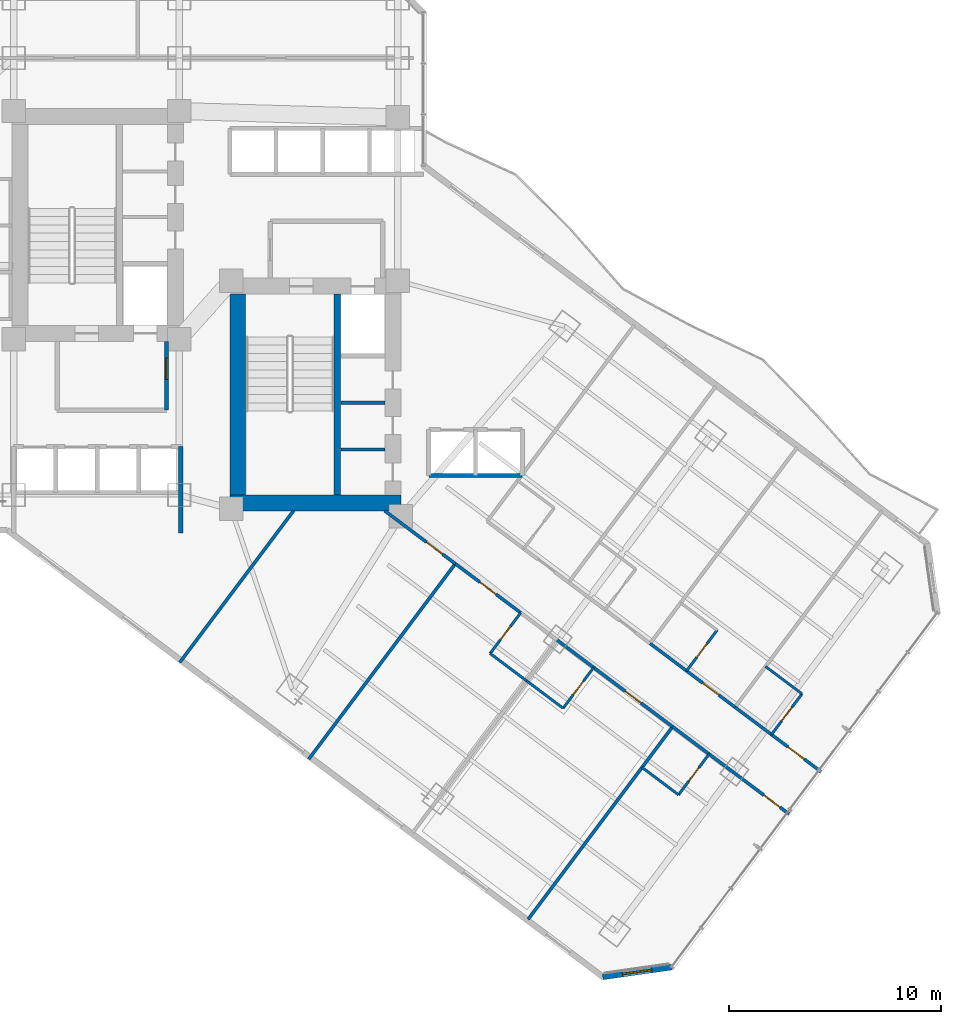
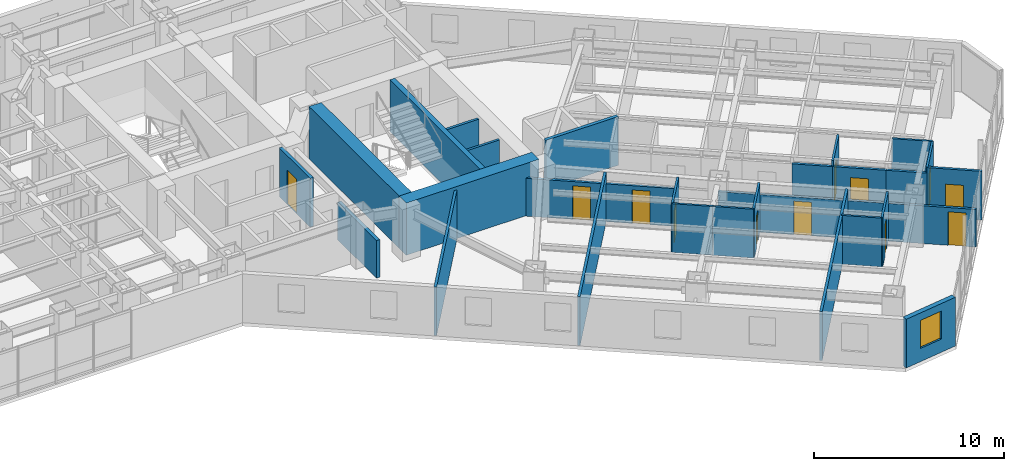
# One storey, part 24 of 37: 31 walls, 12 doors, 1 window, 13 openings.
"""IFC4 building model written with IfcOpenShell, lengths in metres."""

from ifc_helpers import new_model, si_unit, direction, frame, frame_2d, origin, place, context, subcontext, project, spatial, rectangle, extrude, material, layer, layer_set, type_object, element, fill, save


model = new_model("IFC4")

# Units and contexts
model_context = context("Model", 3, precision=1e-05, world=origin(), true_north=direction((0.0, 1.0)))
body_context = subcontext(model_context, "Body", "Model", "MODEL_VIEW")
ifc_project = project(units=[si_unit("LENGTHUNIT", "METRE"), si_unit("AREAUNIT", "SQUARE_METRE"), si_unit("VOLUMEUNIT", "CUBIC_METRE"), si_unit("PLANEANGLEUNIT", "RADIAN"), si_unit("MASSUNIT", "GRAM", prefix="KILO")], contexts=[model_context])

# Site, building, storey
site_placement = place(None, origin())
site = spatial("IfcSite", under=ifc_project, at=site_placement, CompositionType="ELEMENT")
building_placement = place(site_placement, origin())
building = spatial("IfcBuilding", under=site, at=building_placement, Name="Hatsunagi Terrace Concourse", CompositionType="ELEMENT")
storey_placement = place(building_placement, frame((0.0, 0.0, 50.0)))
storey = spatial("IfcBuildingStorey", under=building, at=storey_placement, Name="L12", CompositionType="ELEMENT", Elevation=50.0)

# Walls
ifc_material_1 = material(Name="Concrete Fc60", Category="concrete")
ifc_layer_1 = layer(ifc_material_1, 0.75)
ifc_layer_set_1 = layer_set([ifc_layer_1], Name="CoreShearWall_Fc60_750")
wall_type_1 = type_object("IfcWallType", Name="CoreShearWall_Fc60_750", PredefinedType="SHEAR", material=ifc_layer_set_1)
wall_1_placement = place(storey_placement, frame((35.739990234375, 24.81494140625, 0.0), z_axis=(0.0, 0.0, 1.0), x_axis=(1.0, 0.0, 0.0)))
element("IfcWall", 1, at=wall_1_placement, inside=storey, type_object=wall_type_1, Name="Core B Shear Wall S L12", PredefinedType="SHEAR", context=body_context, shape_type="SweptSolid", body=[
    extrude(rectangle(XDim=8.06005859375, YDim=0.75, at=frame_2d((4.030029296875, 0.0))), origin(), (0.0, 0.0, 1.0), 3.35009765625),
])
wall_2_placement = place(storey_placement, frame((36.114990234375, 25.18994140625, 0.0), z_axis=(0.0, 0.0, 1.0), x_axis=(0.0, 1.0, 0.0)))
element("IfcWall", 2, at=wall_2_placement, inside=storey, type_object=wall_type_1, Name="Core B Shear Wall W L12", PredefinedType="SHEAR", context=body_context, shape_type="SweptSolid", body=[
    extrude(rectangle(XDim=9.47998046875, YDim=0.75, at=frame_2d((4.739990234375, 0.0))), origin(), (0.0, 0.0, 1.0), 3.35009765625),
])
ifc_material_2 = material(Name="Concrete Fc48", Category="concrete")
ifc_layer_2 = layer(ifc_material_2, 0.300048828125)
ifc_layer_set_2 = layer_set([ifc_layer_2], Name="CoreStairDivider_Fc48_300")
wall_type_2 = type_object("IfcWallType", Name="CoreStairDivider_Fc48_300", PredefinedType="SHEAR", material=ifc_layer_set_2)
wall_3_placement = place(storey_placement, frame((40.81005859375, 25.18994140625, 0.0), z_axis=(0.0, 0.0, 1.0), x_axis=(0.0, 1.0, 0.0)))
element("IfcWall", 3, at=wall_3_placement, inside=storey, type_object=wall_type_2, Name="Core B Shear Wall D L12", PredefinedType="SHEAR", context=body_context, shape_type="SweptSolid", body=[
    extrude(rectangle(XDim=9.47998046875, YDim=0.300048828125, at=frame_2d((4.739990234375, 0.0))), origin(), (0.0, 0.0, 1.0), 3.35009765625),
])

# Wall, opening, door
ifc_material_3 = material(Name="Acoustic mineral board", Category="gypsum")
ifc_layer_3 = layer(ifc_material_3, 0.1201171875)
ifc_layer_set_3 = layer_set([ifc_layer_3], Name="PartitionWall_EI30_120")
wall_type_3 = type_object("IfcWallType", Name="PartitionWall_EI30_120", PredefinedType="PARTITIONING", material=ifc_layer_set_3)
wall_4_placement = place(storey_placement, frame((57.27001953125, 16.909912109375, 0.0), z_axis=(0.0, 0.0, 1.0), x_axis=(0.599951172744, 0.800036618114, 0.0)))
wall_4 = element("IfcWall", 4, at=wall_4_placement, inside=storey, type_object=wall_type_3, Name="Interior Partition IW-L12-091", PredefinedType="PARTITIONING", context=body_context, shape_type="SweptSolid", body=[
    extrude(rectangle(XDim=2.400146484375, YDim=0.1201171875, at=frame_2d((1.2001953125, 0.0))), origin(), (0.0, 0.0, 1.0), 3.1298828125),
])
opening_1_placement = place(wall_4_placement, frame((0.800048828125, 0.0, 0.0)))
opening_1 = element("IfcOpeningElement", 5, at=opening_1_placement, cuts=wall_4, Name="Opening DR-080", PredefinedType="OPENING", context=body_context, shape_type="SweptSolid", body=[
    extrude(rectangle(XDim=0.800048828125, YDim=2.06005859375, at=frame_2d((0.39990234375, 1.030029296875))), frame((0.0, 0.070068359375, 0.0), z_axis=(0.0, -1.0, 0.0), x_axis=(1.0, 0.0, 0.0)), (0.0, 0.0, 1.0), 0.14013671875),
])
ifc_material_4 = material(Name="Hardwood timber", Category="wood")
door_type_1 = type_object("IfcDoorType", Name="BathroomDoor_800", OperationType="NOTDEFINED", PredefinedType="DOOR", material=ifc_material_4)
door_1_placement = place(opening_1_placement, origin())
door_1 = element("IfcDoor", 6, at=door_1_placement, inside=storey, type_object=door_type_1, Name="En-Suite Bathroom L12-SENE3 Door", OperationType="SINGLE_SWING_LEFT", OverallHeight=2.06005859375, OverallWidth=0.800048828125, PredefinedType="DOOR", context=body_context, shape_type="SweptSolid", body=[
    extrude(rectangle(XDim=0.800048828125, YDim=2.06005859375, at=frame_2d((0.39990234375, 1.030029296875))), frame((0.0, 0.02490234375, 0.0), z_axis=(0.0, -1.0, 0.0), x_axis=(1.0, 0.0, 0.0)), (0.0, 0.0, 1.0), 0.050048828125),
])
fill(opening_1, door_1)

wall_5_placement = place(storey_placement, frame((61.27001953125, 13.909912109375, 0.0), z_axis=(0.0, 0.0, 1.0), x_axis=(0.599951172744, 0.800036618114, 0.0)))
wall_5 = element("IfcWall", 7, at=wall_5_placement, inside=storey, type_object=wall_type_3, Name="Interior Partition IW-L12-096", PredefinedType="PARTITIONING", context=body_context, shape_type="SweptSolid", body=[
    extrude(rectangle(XDim=2.400146484375, YDim=0.1201171875, at=frame_2d((1.2001953125, 0.0))), origin(), (0.0, 0.0, 1.0), 3.1298828125),
])
opening_2_placement = place(wall_5_placement, frame((0.800048828125, 0.0, 0.0)))
opening_2 = element("IfcOpeningElement", 8, at=opening_2_placement, cuts=wall_5, Name="Opening DR-080", PredefinedType="OPENING", context=body_context, shape_type="SweptSolid", body=[
    extrude(rectangle(XDim=0.800048828125, YDim=2.06005859375, at=frame_2d((0.39990234375, 1.030029296875))), frame((0.0, 0.070068359375, 0.0), z_axis=(0.0, -1.0, 0.0), x_axis=(1.0, 0.0, 0.0)), (0.0, 0.0, 1.0), 0.14013671875),
])
door_2_placement = place(opening_2_placement, origin())
door_2 = element("IfcDoor", 9, at=door_2_placement, inside=storey, type_object=door_type_1, Name="En-Suite Bathroom L12-SENE4 Door", OperationType="SINGLE_SWING_RIGHT", OverallHeight=2.06005859375, OverallWidth=0.800048828125, PredefinedType="DOOR", context=body_context, shape_type="SweptSolid", body=[
    extrude(rectangle(XDim=0.800048828125, YDim=2.06005859375, at=frame_2d((0.39990234375, 1.030029296875))), frame((0.0, 0.02490234375, 0.0), z_axis=(0.0, -1.0, 0.0), x_axis=(1.0, 0.0, 0.0)), (0.0, 0.0, 1.0), 0.050048828125),
])
fill(opening_2, door_2)

# Wall
wall_6_placement = place(storey_placement, frame((60.989990234375, 17.1201171875, 0.0), z_axis=(0.0, 0.0, 1.0), x_axis=(0.79998637334, -0.60001816845, 0.0)))
element("IfcWall", 10, at=wall_6_placement, inside=storey, type_object=wall_type_3, Name="Interior Partition IW-L12-097", PredefinedType="PARTITIONING", context=body_context, shape_type="SweptSolid", body=[
    extrude(rectangle(XDim=2.14990234375, YDim=0.1201171875, at=frame_2d((1.074951171875, 0.0))), origin(), (0.0, 0.0, 1.0), 3.1298828125),
])

# Wall, opening, door
wall_7_placement = place(storey_placement, frame((48.010009765625, 17.72998046875, 0.0), z_axis=(0.0, 0.0, 1.0), x_axis=(0.6, 0.8, 0.0)))
wall_7 = element("IfcWall", 11, at=wall_7_placement, inside=storey, type_object=wall_type_3, Name="Interior Partition IW-L12-100", PredefinedType="PARTITIONING", context=body_context, shape_type="SweptSolid", body=[
    extrude(rectangle(XDim=2.39990234375, YDim=0.1201171875, at=frame_2d((1.199951171875, 0.0))), origin(), (0.0, 0.0, 1.0), 3.1298828125),
])
opening_3_placement = place(wall_7_placement, frame((0.800048828125, 0.0, 0.0)))
opening_3 = element("IfcOpeningElement", 12, at=opening_3_placement, cuts=wall_7, Name="Opening DR-080", PredefinedType="OPENING", context=body_context, shape_type="SweptSolid", body=[
    extrude(rectangle(XDim=0.800048828125, YDim=2.06005859375, at=frame_2d((0.39990234375, 1.030029296875))), frame((0.0, 0.070068359375, 0.0), z_axis=(0.0, -1.0, 0.0), x_axis=(1.0, 0.0, 0.0)), (0.0, 0.0, 1.0), 0.14013671875),
])
door_3_placement = place(opening_3_placement, origin())
door_3 = element("IfcDoor", 13, at=door_3_placement, inside=storey, type_object=door_type_1, Name="En-Suite Bathroom L12-SESW1 Door", OperationType="SINGLE_SWING_LEFT", OverallHeight=2.06005859375, OverallWidth=0.800048828125, PredefinedType="DOOR", context=body_context, shape_type="SweptSolid", body=[
    extrude(rectangle(XDim=0.800048828125, YDim=2.06005859375, at=frame_2d((0.39990234375, 1.030029296875))), frame((0.0, 0.02490234375, 0.0), z_axis=(0.0, -1.0, 0.0), x_axis=(1.0, 0.0, 0.0)), (0.0, 0.0, 1.0), 0.050048828125),
])
fill(opening_3, door_3)

# Wall
wall_8_placement = place(storey_placement, frame((48.010009765625, 17.72998046875, 0.0), z_axis=(0.0, 0.0, 1.0), x_axis=(0.79998637334, -0.60001816845, 0.0)))
element("IfcWall", 14, at=wall_8_placement, inside=storey, type_object=wall_type_3, Name="Interior Partition IW-L12-101", PredefinedType="PARTITIONING", context=body_context, shape_type="SweptSolid", body=[
    extrude(rectangle(XDim=2.14990234375, YDim=0.1201171875, at=frame_2d((1.074951171875, 0.0))), origin(), (0.0, 0.0, 1.0), 3.1298828125),
])

# Wall, opening, door
wall_9_placement = place(storey_placement, frame((51.449951171875, 15.14990234375, 0.0), z_axis=(0.0, 0.0, 1.0), x_axis=(0.599951172744, 0.800036618114, 0.0)))
wall_9 = element("IfcWall", 15, at=wall_9_placement, inside=storey, type_object=wall_type_3, Name="Interior Partition IW-L12-105", PredefinedType="PARTITIONING", context=body_context, shape_type="SweptSolid", body=[
    extrude(rectangle(XDim=2.400146484375, YDim=0.1201171875, at=frame_2d((1.2001953125, 0.0))), origin(), (0.0, 0.0, 1.0), 3.1298828125),
])
opening_4_placement = place(wall_9_placement, frame((0.800048828125, 0.0, 0.0)))
opening_4 = element("IfcOpeningElement", 16, at=opening_4_placement, cuts=wall_9, Name="Opening DR-080", PredefinedType="OPENING", context=body_context, shape_type="SweptSolid", body=[
    extrude(rectangle(XDim=0.800048828125, YDim=2.06005859375, at=frame_2d((0.39990234375, 1.030029296875))), frame((0.0, 0.070068359375, 0.0), z_axis=(0.0, -1.0, 0.0), x_axis=(1.0, 0.0, 0.0)), (0.0, 0.0, 1.0), 0.14013671875),
])
door_4_placement = place(opening_4_placement, origin())
door_4 = element("IfcDoor", 17, at=door_4_placement, inside=storey, type_object=door_type_1, Name="En-Suite Bathroom L12-SESW2 Door", OperationType="SINGLE_SWING_RIGHT", OverallHeight=2.06005859375, OverallWidth=0.800048828125, PredefinedType="DOOR", context=body_context, shape_type="SweptSolid", body=[
    extrude(rectangle(XDim=0.800048828125, YDim=2.06005859375, at=frame_2d((0.39990234375, 1.030029296875))), frame((0.0, 0.02490234375, 0.0), z_axis=(0.0, -1.0, 0.0), x_axis=(1.0, 0.0, 0.0)), (0.0, 0.0, 1.0), 0.050048828125),
])
fill(opening_4, door_4)

# Wall
wall_10_placement = place(storey_placement, frame((49.72998046875, 16.43994140625, 0.0), z_axis=(0.0, 0.0, 1.0), x_axis=(0.79998637334, -0.60001816845, 0.0)))
element("IfcWall", 18, at=wall_10_placement, inside=storey, type_object=wall_type_3, Name="Interior Partition IW-L12-106", PredefinedType="PARTITIONING", context=body_context, shape_type="SweptSolid", body=[
    extrude(rectangle(XDim=2.14990234375, YDim=0.1201171875, at=frame_2d((1.074951171875, 0.0))), origin(), (0.0, 0.0, 1.0), 3.1298828125),
])

# Wall, opening, door
wall_11_placement = place(storey_placement, frame((56.889892578125, 11.070068359375, 0.0), z_axis=(0.0, 0.0, 1.0), x_axis=(0.600065100855, 0.79995117022, 0.0)))
wall_11 = element("IfcWall", 19, at=wall_11_placement, inside=storey, type_object=wall_type_3, Name="Interior Partition IW-L12-110", PredefinedType="PARTITIONING", context=body_context, shape_type="SweptSolid", body=[
    extrude(rectangle(XDim=2.400146484375, YDim=0.1201171875, at=frame_2d((1.2001953125, 0.0))), origin(), (0.0, 0.0, 1.0), 3.1298828125),
])
opening_5_placement = place(wall_11_placement, frame((0.800048828125, 0.0, 0.0)))
opening_5 = element("IfcOpeningElement", 20, at=opening_5_placement, cuts=wall_11, Name="Opening DR-080", PredefinedType="OPENING", context=body_context, shape_type="SweptSolid", body=[
    extrude(rectangle(XDim=0.800048828125, YDim=2.06005859375, at=frame_2d((0.39990234375, 1.030029296875))), frame((0.0, 0.070068359375, 0.0), z_axis=(0.0, -1.0, 0.0), x_axis=(1.0, 0.0, 0.0)), (0.0, 0.0, 1.0), 0.14013671875),
])
door_5_placement = place(opening_5_placement, origin())
door_5 = element("IfcDoor", 21, at=door_5_placement, inside=storey, type_object=door_type_1, Name="En-Suite Bathroom L12-SESW3 Door", OperationType="SINGLE_SWING_LEFT", OverallHeight=2.06005859375, OverallWidth=0.800048828125, PredefinedType="DOOR", context=body_context, shape_type="SweptSolid", body=[
    extrude(rectangle(XDim=0.800048828125, YDim=2.06005859375, at=frame_2d((0.39990234375, 1.030029296875))), frame((0.0, 0.02490234375, 0.0), z_axis=(0.0, -1.0, 0.0), x_axis=(1.0, 0.0, 0.0)), (0.0, 0.0, 1.0), 0.050048828125),
])
fill(opening_5, door_5)

# Walls
wall_12_placement = place(storey_placement, frame((55.169921875, 12.360107421875, 0.0), z_axis=(0.0, 0.0, 1.0), x_axis=(0.79998637334, -0.60001816845, 0.0)))
element("IfcWall", 22, at=wall_12_placement, inside=storey, type_object=wall_type_3, Name="Interior Partition IW-L12-111", PredefinedType="PARTITIONING", context=body_context, shape_type="SweptSolid", body=[
    extrude(rectangle(XDim=2.14990234375, YDim=0.1201171875, at=frame_2d((1.074951171875, 0.0))), origin(), (0.0, 0.0, 1.0), 3.1298828125),
])
ifc_material_5 = material(Name="Acoustic mineral board", Category="gypsum")
ifc_layer_4 = layer(ifc_material_5, 0.14990234375)
ifc_layer_set_4 = layer_set([ifc_layer_4], Name="PartitionWall_EI60_150")
wall_type_4 = type_object("IfcWallType", Name="PartitionWall_EI60_150", PredefinedType="PARTITIONING", material=ifc_layer_set_4)
for number, where, z_axis, x_axis, name in (
    (23, (40.969970703125, 27.35009765625, 0.0), (0.0, 0.0, 1.0), (1.0, 0.0, 0.0), "Interior Partition IW-L12-005"),
    (24, (40.969970703125, 29.550048828125, 0.0), (0.0, 0.0, 1.0), (1.0, 0.0, 0.0), "Interior Partition IW-L12-006"),
):
    element("IfcWall", number, at=place(storey_placement, frame(where, z_axis=z_axis, x_axis=x_axis)), inside=storey, type_object=wall_type_4, Name=name, PredefinedType="PARTITIONING", context=body_context, shape_type="SweptSolid", body=[
        extrude(rectangle(XDim=2.080078125, YDim=0.14990234375, at=frame_2d((1.0400390625, 0.0))), origin(), (0.0, 0.0, 1.0), 3.1298828125),
    ])

# Wall, opening, door
wall_13_placement = place(storey_placement, frame((43.037109375, 24.4599609375, 0.0), z_axis=(0.0, 0.0, 1.0), x_axis=(0.799971872363, -0.600037501685, 0.0)))
wall_13 = element("IfcWall", 25, at=wall_13_placement, inside=storey, type_object=wall_type_4, Name="Interior Partition IW-L12-043", PredefinedType="PARTITIONING", context=body_context, shape_type="SweptSolid", body=[
    extrude(rectangle(XDim=4.16650390625, YDim=0.14990234375, at=frame_2d((2.083251953125, 0.0))), origin(), (0.0, 0.0, 1.0), 2.425048828125),
])
opening_6_placement = place(wall_13_placement, frame((2.468017578125, 0.0, 0.0)))
opening_6 = element("IfcOpeningElement", 26, at=opening_6_placement, cuts=wall_13, Name="Opening DR-095", PredefinedType="OPENING", context=body_context, shape_type="SweptSolid", body=[
    extrude(rectangle(XDim=0.949951171875, YDim=2.14990234375, at=frame_2d((0.47509765625, 1.074951171875))), frame((0.0, 0.0849609375, 0.0), z_axis=(0.0, -1.0, 0.0), x_axis=(1.0, 0.0, 0.0)), (0.0, 0.0, 1.0), 0.169921875),
])
ifc_material_6 = material(Name="Hardwood timber", Category="wood")
door_type_2 = type_object("IfcDoorType", Name="InteriorSuiteDoor_EI30_950", OperationType="NOTDEFINED", PredefinedType="DOOR", material=ifc_material_6)
door_6_placement = place(opening_6_placement, origin())
door_6 = element("IfcDoor", 27, at=door_6_placement, inside=storey, type_object=door_type_2, Name="Meeting Room L12-HMTG Door", OperationType="SINGLE_SWING_RIGHT", OverallHeight=2.14990234375, OverallWidth=0.949951171875, PredefinedType="DOOR", context=body_context, shape_type="SweptSolid", body=[
    extrude(rectangle(XDim=0.949951171875, YDim=2.14990234375, at=frame_2d((0.47509765625, 1.074951171875))), frame((0.0, 0.02490234375, 0.0), z_axis=(0.0, -1.0, 0.0), x_axis=(1.0, 0.0, 0.0)), (0.0, 0.0, 1.0), 0.050048828125),
])
fill(opening_6, door_6)

# Walls
wall_14_placement = place(storey_placement, frame((33.384033203125, 17.31201171875, 0.0), z_axis=(0.0, 0.0, 1.0), x_axis=(0.600008743659, 0.799993442181, 0.0)))
element("IfcWall", 28, at=wall_14_placement, inside=storey, type_object=wall_type_4, Name="Interior Partition IW-L12-044", PredefinedType="PARTITIONING", context=body_context, shape_type="SweptSolid", body=[
    extrude(rectangle(XDim=8.93505859375, YDim=0.14990234375, at=frame_2d((4.467529296875, 0.0))), origin(), (0.0, 0.0, 1.0), 3.1298828125),
])
wall_15_placement = place(storey_placement, frame((39.464111328125, 12.751953125, 0.0), z_axis=(0.0, 0.0, 1.0), x_axis=(0.6, 0.8, 0.0)))
element("IfcWall", 29, at=wall_15_placement, inside=storey, type_object=wall_type_4, Name="Interior Partition IW-L12-045", PredefinedType="PARTITIONING", context=body_context, shape_type="SweptSolid", body=[
    extrude(rectangle(XDim=11.510009765625, YDim=0.14990234375, at=frame_2d((5.7548828125, 0.0))), origin(), (0.0, 0.0, 1.0), 3.1298828125),
])
wall_16_placement = place(storey_placement, frame((55.550048828125, 18.199951171875, 0.0), z_axis=(0.0, 0.0, 1.0), x_axis=(0.79998637334, -0.60001816845, 0.0)))
element("IfcWall", 30, at=wall_16_placement, inside=storey, type_object=wall_type_4, Name="Interior Partition IW-L12-089", PredefinedType="PARTITIONING", context=body_context, shape_type="SweptSolid", body=[
    extrude(rectangle(XDim=2.14990234375, YDim=0.14990234375, at=frame_2d((1.074951171875, 0.0))), origin(), (0.0, 0.0, 1.0), 2.77490234375),
])

# Wall, opening, door
wall_17_placement = place(storey_placement, frame((57.27001953125, 16.909912109375, 0.0), z_axis=(0.0, 0.0, 1.0), x_axis=(0.800010279488, -0.599986293772, 0.0)))
wall_17 = element("IfcWall", 31, at=wall_17_placement, inside=storey, type_object=wall_type_4, Name="Interior Partition IW-L12-090", PredefinedType="PARTITIONING", context=body_context, shape_type="SweptSolid", body=[
    extrude(rectangle(XDim=2.85009765625, YDim=0.14990234375, at=frame_2d((1.425048828125, 0.0))), origin(), (0.0, 0.0, 1.0), 2.77490234375),
])
opening_7_placement = place(wall_17_placement, frame((0.949951171875, 0.0, 0.0)))
opening_7 = element("IfcOpeningElement", 32, at=opening_7_placement, cuts=wall_17, Name="Opening DR-095", PredefinedType="OPENING", context=body_context, shape_type="SweptSolid", body=[
    extrude(rectangle(XDim=0.949951171875, YDim=2.14990234375, at=frame_2d((0.47509765625, 1.074951171875))), frame((0.0, 0.0849609375, 0.0), z_axis=(0.0, -1.0, 0.0), x_axis=(1.0, 0.0, 0.0)), (0.0, 0.0, 1.0), 0.169921875),
])
door_7_placement = place(opening_7_placement, origin())
door_7 = element("IfcDoor", 33, at=door_7_placement, inside=storey, type_object=door_type_2, Name="Hotel Guest Room L12-SENE3 Door", OperationType="SINGLE_SWING_LEFT", OverallHeight=2.14990234375, OverallWidth=0.949951171875, PredefinedType="DOOR", context=body_context, shape_type="SweptSolid", body=[
    extrude(rectangle(XDim=0.949951171875, YDim=2.14990234375, at=frame_2d((0.47509765625, 1.074951171875))), frame((0.0, 0.02490234375, 0.0), z_axis=(0.0, -1.0, 0.0), x_axis=(1.0, 0.0, 0.0)), (0.0, 0.0, 1.0), 0.050048828125),
])
fill(opening_7, door_7)

# Wall
wall_18_placement = place(storey_placement, frame((59.550048828125, 15.199951171875, 0.0), z_axis=(0.0, 0.0, 1.0), x_axis=(0.79998637334, -0.60001816845, 0.0)))
element("IfcWall", 34, at=wall_18_placement, inside=storey, type_object=wall_type_4, Name="Interior Partition IW-L12-094", PredefinedType="PARTITIONING", context=body_context, shape_type="SweptSolid", body=[
    extrude(rectangle(XDim=2.14990234375, YDim=0.14990234375, at=frame_2d((1.074951171875, 0.0))), origin(), (0.0, 0.0, 1.0), 2.77490234375),
])

# Wall, opening, door
wall_19_placement = place(storey_placement, frame((61.27001953125, 13.909912109375, 0.0), z_axis=(0.0, 0.0, 1.0), x_axis=(0.800010068184, -0.59998657552, 0.0)))
wall_19 = element("IfcWall", 35, at=wall_19_placement, inside=storey, type_object=wall_type_4, Name="Interior Partition IW-L12-095", PredefinedType="PARTITIONING", context=body_context, shape_type="SweptSolid", body=[
    extrude(rectangle(XDim=2.909912109375, YDim=0.14990234375, at=frame_2d((1.455078125, 0.0))), origin(), (0.0, 0.0, 1.0), 3.1298828125),
])
opening_8_placement = place(wall_19_placement, frame((0.97998046875, 0.0, 0.0)))
opening_8 = element("IfcOpeningElement", 36, at=opening_8_placement, cuts=wall_19, Name="Opening DR-095", PredefinedType="OPENING", context=body_context, shape_type="SweptSolid", body=[
    extrude(rectangle(XDim=0.949951171875, YDim=2.14990234375, at=frame_2d((0.47509765625, 1.074951171875))), frame((0.0, 0.0849609375, 0.0), z_axis=(0.0, -1.0, 0.0), x_axis=(1.0, 0.0, 0.0)), (0.0, 0.0, 1.0), 0.169921875),
])
door_8_placement = place(opening_8_placement, origin())
door_8 = element("IfcDoor", 37, at=door_8_placement, inside=storey, type_object=door_type_2, Name="Hotel Guest Room L12-SENE4 Door", OperationType="SINGLE_SWING_LEFT", OverallHeight=2.14990234375, OverallWidth=0.949951171875, PredefinedType="DOOR", context=body_context, shape_type="SweptSolid", body=[
    extrude(rectangle(XDim=0.949951171875, YDim=2.14990234375, at=frame_2d((0.47509765625, 1.074951171875))), frame((0.0, 0.02490234375, 0.0), z_axis=(0.0, -1.0, 0.0), x_axis=(1.0, 0.0, 0.0)), (0.0, 0.0, 1.0), 0.050048828125),
])
fill(opening_8, door_8)

wall_20_placement = place(storey_placement, frame((46.3701171875, 21.9599609375, 0.0), z_axis=(0.0, 0.0, 1.0), x_axis=(0.799977170108, -0.600030438649, 0.0)))
wall_20 = element("IfcWall", 38, at=wall_20_placement, inside=storey, type_object=wall_type_4, Name="Interior Partition IW-L12-098", PredefinedType="PARTITIONING", context=body_context, shape_type="SweptSolid", body=[
    extrude(rectangle(XDim=3.849853515625, YDim=0.14990234375, at=frame_2d((1.9248046875, 0.0))), origin(), (0.0, 0.0, 1.0), 2.425048828125),
])
opening_9_placement = place(wall_20_placement, frame((1.449951171875, 0.0, 0.0)))
opening_9 = element("IfcOpeningElement", 39, at=opening_9_placement, cuts=wall_20, Name="Opening DR-095", PredefinedType="OPENING", context=body_context, shape_type="SweptSolid", body=[
    extrude(rectangle(XDim=0.949951171875, YDim=2.14990234375, at=frame_2d((0.47509765625, 1.074951171875))), frame((0.0, 0.0849609375, 0.0), z_axis=(0.0, -1.0, 0.0), x_axis=(1.0, 0.0, 0.0)), (0.0, 0.0, 1.0), 0.169921875),
])
door_9_placement = place(opening_9_placement, origin())
door_9 = element("IfcDoor", 40, at=door_9_placement, inside=storey, type_object=door_type_2, Name="Hotel Guest Room L12-SESW1 Door", OperationType="SINGLE_SWING_RIGHT", OverallHeight=2.14990234375, OverallWidth=0.949951171875, PredefinedType="DOOR", context=body_context, shape_type="SweptSolid", body=[
    extrude(rectangle(XDim=0.949951171875, YDim=2.14990234375, at=frame_2d((0.47509765625, 1.074951171875))), frame((0.0, 0.02490234375, 0.0), z_axis=(0.0, -1.0, 0.0), x_axis=(1.0, 0.0, 0.0)), (0.0, 0.0, 1.0), 0.050048828125),
])
fill(opening_9, door_9)

# Wall
wall_21_placement = place(storey_placement, frame((51.169921875, 18.360107421875, 0.0), z_axis=(0.0, 0.0, 1.0), x_axis=(0.79998637334, -0.60001816845, 0.0)))
element("IfcWall", 41, at=wall_21_placement, inside=storey, type_object=wall_type_4, Name="Interior Partition IW-L12-103", PredefinedType="PARTITIONING", context=body_context, shape_type="SweptSolid", body=[
    extrude(rectangle(XDim=2.14990234375, YDim=0.14990234375, at=frame_2d((1.074951171875, 0.0))), origin(), (0.0, 0.0, 1.0), 2.425048828125),
])

# Wall, opening, door
wall_22_placement = place(storey_placement, frame((52.889892578125, 17.070068359375, 0.0), z_axis=(0.0, 0.0, 1.0), x_axis=(0.800012600101, -0.599983199498, 0.0)))
wall_22 = element("IfcWall", 42, at=wall_22_placement, inside=storey, type_object=wall_type_4, Name="Interior Partition IW-L12-104", PredefinedType="PARTITIONING", context=body_context, shape_type="SweptSolid", body=[
    extrude(rectangle(XDim=4.650146484375, YDim=0.14990234375, at=frame_2d((2.3251953125, 0.0))), origin(), (0.0, 0.0, 1.0), 2.425048828125),
])
opening_10_placement = place(wall_22_placement, frame((1.85009765625, 0.0, 0.0)))
opening_10 = element("IfcOpeningElement", 43, at=opening_10_placement, cuts=wall_22, Name="Opening DR-095", PredefinedType="OPENING", context=body_context, shape_type="SweptSolid", body=[
    extrude(rectangle(XDim=0.949951171875, YDim=2.14990234375, at=frame_2d((0.47509765625, 1.074951171875))), frame((0.0, 0.0849609375, 0.0), z_axis=(0.0, -1.0, 0.0), x_axis=(1.0, 0.0, 0.0)), (0.0, 0.0, 1.0), 0.169921875),
])
door_10_placement = place(opening_10_placement, origin())
door_10 = element("IfcDoor", 44, at=door_10_placement, inside=storey, type_object=door_type_2, Name="Corner Hotel Suite L12-SESW2 Door", OperationType="SINGLE_SWING_RIGHT", OverallHeight=2.14990234375, OverallWidth=0.949951171875, PredefinedType="DOOR", context=body_context, shape_type="SweptSolid", body=[
    extrude(rectangle(XDim=0.949951171875, YDim=2.14990234375, at=frame_2d((0.47509765625, 1.074951171875))), frame((0.0, 0.02490234375, 0.0), z_axis=(0.0, -1.0, 0.0), x_axis=(1.0, 0.0, 0.0)), (0.0, 0.0, 1.0), 0.050048828125),
])
fill(opening_10, door_10)

# Walls
wall_23_placement = place(storey_placement, frame((49.800048828125, 5.199951171875, 0.0), z_axis=(0.0, 0.0, 1.0), x_axis=(0.6, 0.8, 0.0)))
element("IfcWall", 45, at=wall_23_placement, inside=storey, type_object=wall_type_4, Name="Interior Partition IW-L12-107", PredefinedType="PARTITIONING", context=body_context, shape_type="SweptSolid", body=[
    extrude(rectangle(XDim=11.35009765625, YDim=0.14990234375, at=frame_2d((5.675048828125, 0.0))), origin(), (0.0, 0.0, 1.0), 3.1298828125),
])
wall_24_placement = place(storey_placement, frame((56.610107421875, 14.280029296875, 0.0), z_axis=(0.0, 0.0, 1.0), x_axis=(0.79998637334, -0.60001816845, 0.0)))
element("IfcWall", 46, at=wall_24_placement, inside=storey, type_object=wall_type_4, Name="Interior Partition IW-L12-108", PredefinedType="PARTITIONING", context=body_context, shape_type="SweptSolid", body=[
    extrude(rectangle(XDim=2.14990234375, YDim=0.14990234375, at=frame_2d((1.074951171875, 0.0))), origin(), (0.0, 0.0, 1.0), 2.425048828125),
])

# Wall, opening, door
wall_25_placement = place(storey_placement, frame((58.330078125, 12.989990234375, 0.0), z_axis=(0.0, 0.0, 1.0), x_axis=(0.799993779569, -0.600008293819, 0.0)))
wall_25 = element("IfcWall", 47, at=wall_25_placement, inside=storey, type_object=wall_type_4, Name="Interior Partition IW-L12-109", PredefinedType="PARTITIONING", context=body_context, shape_type="SweptSolid", body=[
    extrude(rectangle(XDim=4.709716796875, YDim=0.14990234375, at=frame_2d((2.35498046875, 0.0))), origin(), (0.0, 0.0, 1.0), 2.425048828125),
])
opening_11_placement = place(wall_25_placement, frame((3.22998046875, 0.0, 0.0)))
opening_11 = element("IfcOpeningElement", 48, at=opening_11_placement, cuts=wall_25, Name="Opening DR-095", PredefinedType="OPENING", context=body_context, shape_type="SweptSolid", body=[
    extrude(rectangle(XDim=0.949951171875, YDim=2.14990234375, at=frame_2d((0.47509765625, 1.074951171875))), frame((0.0, 0.0849609375, 0.0), z_axis=(0.0, -1.0, 0.0), x_axis=(1.0, 0.0, 0.0)), (0.0, 0.0, 1.0), 0.169921875),
])
door_11_placement = place(opening_11_placement, origin())
door_11 = element("IfcDoor", 49, at=door_11_placement, inside=storey, type_object=door_type_2, Name="Corner Hotel Suite L12-SESW3 Door", OperationType="SINGLE_SWING_RIGHT", OverallHeight=2.14990234375, OverallWidth=0.949951171875, PredefinedType="DOOR", context=body_context, shape_type="SweptSolid", body=[
    extrude(rectangle(XDim=0.949951171875, YDim=2.14990234375, at=frame_2d((0.47509765625, 1.074951171875))), frame((0.0, 0.02490234375, 0.0), z_axis=(0.0, -1.0, 0.0), x_axis=(1.0, 0.0, 0.0)), (0.0, 0.0, 1.0), 0.050048828125),
])
fill(opening_11, door_11)

ifc_material_7 = material(Name="Acoustic mineral board", Category="gypsum")
ifc_layer_5 = layer(ifc_material_7, 0.199951171875)
ifc_layer_set_5 = layer_set([ifc_layer_5], Name="ShaftWall_EI120_200")
wall_type_5 = type_object("IfcWallType", Name="ShaftWall_EI120_200", PredefinedType="STANDARD", material=ifc_layer_set_5)
wall_26_placement = place(storey_placement, frame((32.75, 29.199951171875, 0.0), z_axis=(0.0, 0.0, 1.0), x_axis=(0.0, 1.0, 0.0)))
wall_26 = element("IfcWall", 50, at=wall_26_placement, inside=storey, type_object=wall_type_5, Name="Interior Partition IW-L12-009", PredefinedType="STANDARD", context=body_context, shape_type="SweptSolid", body=[
    extrude(rectangle(XDim=3.239990234375, YDim=0.199951171875, at=frame_2d((1.6201171875, 0.0))), origin(), (0.0, 0.0, 1.0), 3.1298828125),
])
opening_12_placement = place(wall_26_placement, frame((1.449951171875, 0.0, 0.0)))
opening_12 = element("IfcOpeningElement", 51, at=opening_12_placement, cuts=wall_26, Name="Opening DR-100F", PredefinedType="OPENING", context=body_context, shape_type="SweptSolid", body=[
    extrude(rectangle(XDim=1.0, YDim=2.199951171875, at=frame_2d((0.5, 1.10009765625))), frame((0.0, 0.10986328125, 0.0), z_axis=(0.0, -1.0, 0.0), x_axis=(1.0, 0.0, 0.0)), (0.0, 0.0, 1.0), 0.219970703125),
])
ifc_material_8 = material(Name="Painted steel", Category="steel")
door_type_3 = type_object("IfcDoorType", Name="FireDoor_EI60_1000", OperationType="NOTDEFINED", PredefinedType="DOOR", material=ifc_material_8)
door_12_placement = place(opening_12_placement, origin())
door_12 = element("IfcDoor", 52, at=door_12_placement, inside=storey, type_object=door_type_3, Name="Firefighting Lobby A Door L12", OperationType="SINGLE_SWING_RIGHT", OverallHeight=2.199951171875, OverallWidth=1.0, PredefinedType="DOOR", context=body_context, shape_type="SweptSolid", body=[
    extrude(rectangle(XDim=1.0, YDim=2.199951171875, at=frame_2d((0.5, 1.10009765625))), frame((0.0, 0.02490234375, 0.0), z_axis=(0.0, -1.0, 0.0), x_axis=(1.0, 0.0, 0.0)), (0.0, 0.0, 1.0), 0.050048828125),
])
fill(opening_12, door_12)

# Walls
wall_27_placement = place(storey_placement, frame((33.429931640625, 23.39990234375, 0.0), z_axis=(0.0, 0.0, 1.0), x_axis=(0.0, 1.0, 0.0)))
element("IfcWall", 53, at=wall_27_placement, inside=storey, type_object=wall_type_5, Name="Interior Partition IW-L12-014", PredefinedType="STANDARD", context=body_context, shape_type="SweptSolid", body=[
    extrude(rectangle(XDim=4.080078125, YDim=0.199951171875, at=frame_2d((2.0400390625, 0.0))), origin(), (0.0, 0.0, 1.0), 2.425048828125),
])
wall_28_placement = place(storey_placement, frame((45.1201171875, 26.1201171875, 0.0), z_axis=(0.0, 0.0, 1.0), x_axis=(1.0, 0.0, 0.0)))
element("IfcWall", 54, at=wall_28_placement, inside=storey, type_object=wall_type_5, Name="Interior Partition IW-L12-026", PredefinedType="STANDARD", context=body_context, shape_type="SweptSolid", body=[
    extrude(rectangle(XDim=4.39990234375, YDim=0.199951171875, at=frame_2d((2.199951171875, 0.0))), origin(), (0.0, 0.0, 1.0), 3.1298828125),
])

# Wall, opening, window
ifc_material_9 = material(Name="Autoclaved Lightweight Concrete and Terracotta Cladding", Category="masonry")
ifc_layer_6 = layer(ifc_material_9, 0.280029296875)
ifc_layer_set_6 = layer_set([ifc_layer_6], Name="TerracottaSpandrelWall_280")
wall_type_6 = type_object("IfcWallType", Name="TerracottaSpandrelWall_280", PredefinedType="STANDARD", material=ifc_layer_set_6)
wall_29_placement = place(storey_placement, frame((56.56298828125, 2.949951171875, 0.0), z_axis=(0.0, 0.0, 1.0), x_axis=(-0.989977778067, -0.141223223777, 0.0)))
wall_29 = element("IfcWall", 55, at=wall_29_placement, inside=storey, type_object=wall_type_6, Name="Exterior Spandrel Wall EW-L12-04", PredefinedType="STANDARD", context=body_context, shape_type="SweptSolid", body=[
    extrude(rectangle(XDim=3.27783203125, YDim=0.280029296875, at=frame_2d((1.638916015625, 0.0))), origin(), (0.0, 0.0, 1.0), 3.1298828125),
])
opening_13_placement = place(wall_29_placement, frame((0.93896484375, 0.0, 0.85009765625)))
opening_13 = element("IfcOpeningElement", 56, at=opening_13_placement, cuts=wall_29, Name="Opening WIN-02", PredefinedType="OPENING", context=body_context, shape_type="SweptSolid", body=[
    extrude(rectangle(XDim=1.39990234375, YDim=1.800048828125, at=frame_2d((0.699951171875, 0.89990234375))), frame((0.0, 0.14990234375, 0.0), z_axis=(0.0, -1.0, 0.0), x_axis=(1.0, 0.0, 0.0)), (0.0, 0.0, 1.0), 0.300048828125),
])
ifc_material_10 = material(Name="Thermally Broken Aluminium and Low-E Triple Glazing", Category="aluminium")
window_type = type_object("IfcWindowType", Name="HotelOperableVentWindow_1400x1800", PartitioningType="DOUBLE_PANEL_VERTICAL", PredefinedType="WINDOW", material=ifc_material_10)
window_placement = place(opening_13_placement, origin())
window = element("IfcWindow", 57, at=window_placement, inside=storey, type_object=window_type, Name="Hotel Guestroom Window L12-04-1", OverallHeight=1.800048828125, OverallWidth=1.39990234375, PartitioningType="SINGLE_PANEL", PredefinedType="WINDOW", context=body_context, shape_type="SweptSolid", body=[
    extrude(rectangle(XDim=1.39990234375, YDim=1.800048828125, at=frame_2d((0.699951171875, 0.89990234375))), frame((0.0, 0.030029296875, 0.0), z_axis=(0.0, -1.0, 0.0), x_axis=(1.0, 0.0, 0.0)), (0.0, 0.0, 1.0), 0.06005859375),
])
fill(opening_13, window)

save(model, "model.ifc")
